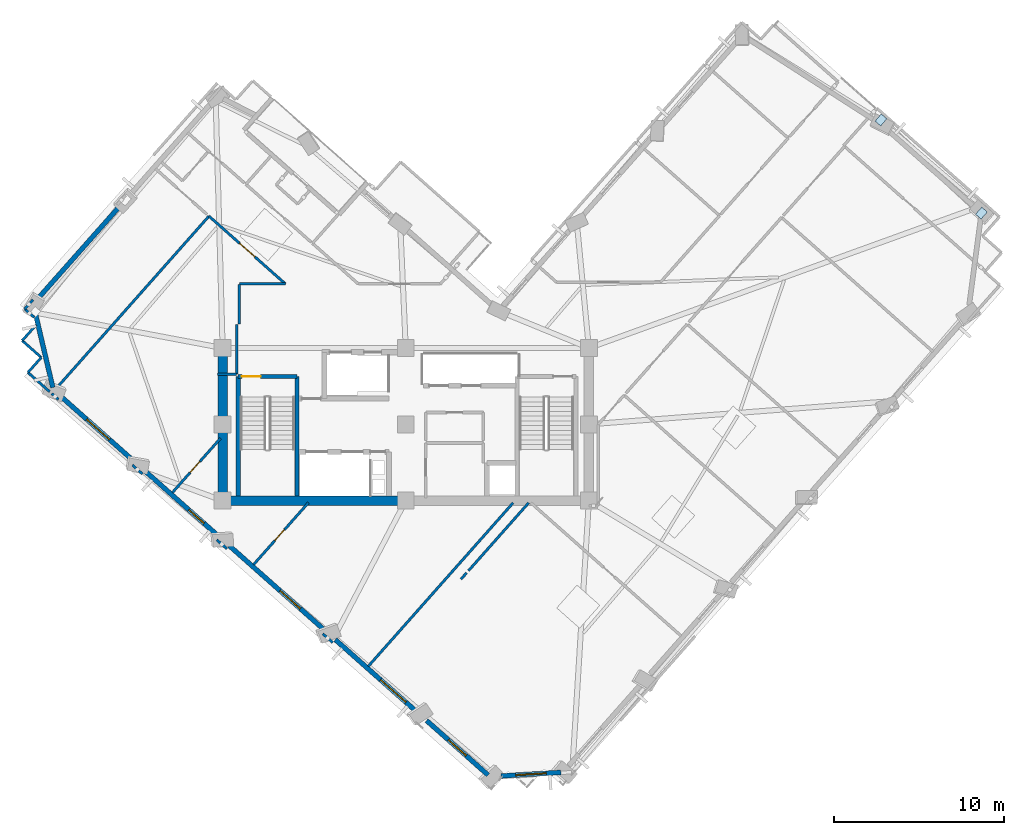
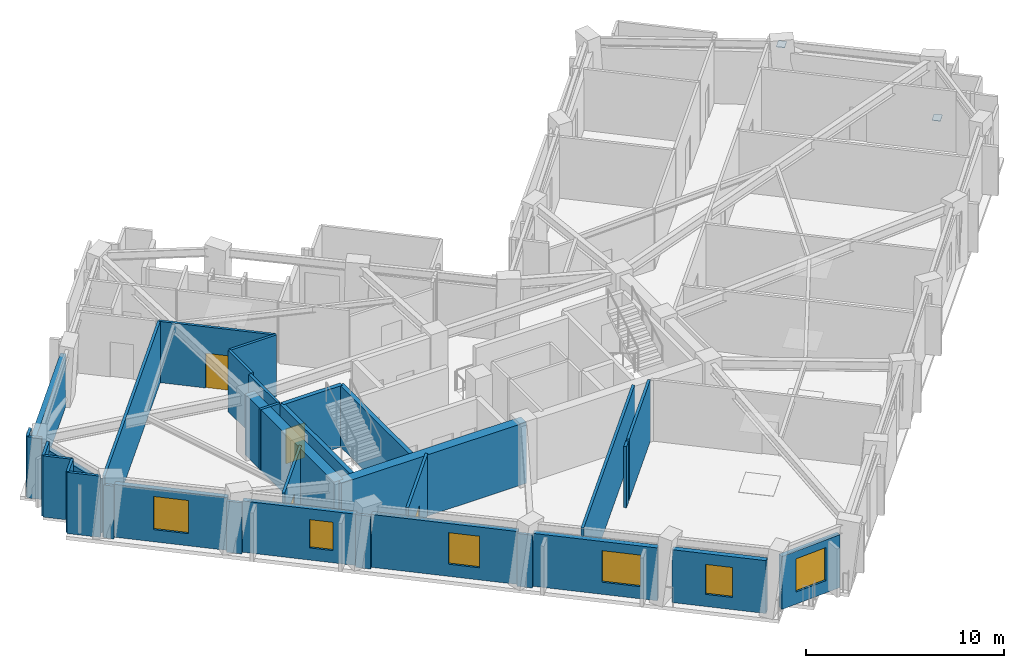
# One storey, part 5 of 13: 34 walls, 6 windows, 4 doors, 2 plates, 10 openings.
"""IFC4 building model written with IfcOpenShell, lengths in metres."""

from ifc_helpers import new_model, si_unit, direction, frame, frame_2d, origin, origin_2d, place, context, subcontext, project, spatial, rectangle, extrude, material, layer, layer_set, type_object, element, fill, save


model = new_model("IFC4")

# Units and contexts
model_context = context("Model", 3, precision=1e-05, world=origin(), true_north=direction((0.0, 1.0)))
body_context = subcontext(model_context, "Body", "Model", "MODEL_VIEW")
ifc_project = project(units=[si_unit("LENGTHUNIT", "METRE"), si_unit("AREAUNIT", "SQUARE_METRE"), si_unit("VOLUMEUNIT", "CUBIC_METRE"), si_unit("PLANEANGLEUNIT", "RADIAN"), si_unit("MASSUNIT", "GRAM", prefix="KILO")], contexts=[model_context])

# Site, building, storey
site_placement = place(None, origin())
site = spatial("IfcSite", under=ifc_project, at=site_placement, CompositionType="ELEMENT")
building_placement = place(site_placement, origin())
building = spatial("IfcBuilding", under=site, at=building_placement, Name="Gaonmaruhae Medical Tower", CompositionType="ELEMENT")
storey_placement = place(building_placement, frame((0.0, 0.0, 231.199951171875)))
storey = spatial("IfcBuildingStorey", under=building, at=storey_placement, Name="L55", CompositionType="ELEMENT", Elevation=231.199951171875)

# Plates
ifc_material_1 = material(Name="Steel HSA650 (650 MPa)", Category="steel")
ifc_layer_1 = layer(ifc_material_1, 0.028076171875)
ifc_layer_set_1 = layer_set([ifc_layer_1], Name="Steel HSA650 (650 MPa)")
plate_type = type_object("IfcPlateType", Name="GP-02 Tube Brace End Cap Gusset Plate", PredefinedType="USERDEFINED", material=ifc_layer_set_1)
for number, where, z_axis, x_axis, name in (
    (1, (58.75048828125, 24.7578125, 0.23583984375), (0.0, 0.0, 1.0), (0.66327338299, 0.748377190605, 0.0), "L55 Gusset Cap Plate PLT-L55-PBR-E01A"),
    (2, (52.825439453125, 30.250732421875, 3.51611328125), (0.0, 0.0, 1.0), (0.650774217266, 0.759271307335, 0.0), "L55 Gusset Cap Plate PLT-L55-PBR-E01B"),
):
    element("IfcPlate", number, at=place(storey_placement, frame(where, z_axis=z_axis, x_axis=x_axis)), inside=storey, type_object=plate_type, Name=name, ObjectType="GUSSET_PLATE", PredefinedType="USERDEFINED", context=body_context, shape_type="SweptSolid", body=[
        extrude(rectangle(XDim=0.56005859375, YDim=0.43994140625, at=origin_2d()), origin(), (0.0, 0.0, 1.0), 0.028076171875),
    ])

# Walls
ifc_material_2 = material(Name="Concrete C50/60", Category="concrete")
ifc_layer_2 = layer(ifc_material_2, 0.550048828125)
ifc_layer_set_2 = layer_set([ifc_layer_2], Name="Concrete C50/60")
wall_type_1 = type_object("IfcWallType", Name="CW-550 Mid-High Core Shear Wall", PredefinedType="SHEAR", material=ifc_layer_set_2)
wall_1_placement = place(storey_placement, frame((14.0, 7.800048828125, 0.0), z_axis=(0.0, 0.0, 1.0), x_axis=(1.0, 0.0, 0.0)))
element("IfcWall", 3, at=wall_1_placement, inside=storey, type_object=wall_type_1, Name="L55 Core Shear Wall CSW-S1", PredefinedType="SHEAR", context=body_context, shape_type="SweptSolid", body=[
    extrude(rectangle(XDim=10.800048828125, YDim=0.550048828125, at=frame_2d((5.39990234375, 0.0))), origin(), (0.0, 0.0, 1.0), 3.780029296875),
])
wall_2_placement = place(storey_placement, frame((14.0, 16.800048828125, 0.0), z_axis=(0.0, 0.0, 1.0), x_axis=(0.0, -1.0, 0.0)))
element("IfcWall", 4, at=wall_2_placement, inside=storey, type_object=wall_type_1, Name="L55 Core Shear Wall CSW-W1", PredefinedType="SHEAR", context=body_context, shape_type="SweptSolid", body=[
    extrude(rectangle(XDim=9.0, YDim=0.550048828125, at=frame_2d((4.5, 0.0))), origin(), (0.0, 0.0, 1.0), 3.780029296875),
])
ifc_material_3 = material(Name="Precast concrete C45/55", Category="concrete")
ifc_layer_3 = layer(ifc_material_3, 0.280029296875)
ifc_layer_set_3 = layer_set([ifc_layer_3], Name="Precast concrete C45/55")
wall_type_2 = type_object("IfcWallType", Name="EW-280 Upper Precast Masonry-Frame Facade Wall", PredefinedType="SOLIDWALL", material=ifc_layer_set_3)
wall_3_placement = place(storey_placement, frame((2.947509765625, 19.538818359375, 0.0), z_axis=(0.0, 0.0, 1.0), x_axis=(0.663273885077, 0.748376745614, 0.0)))
element("IfcWall", 5, at=wall_3_placement, inside=storey, type_object=wall_type_2, Name="L55 Precast Masonry-Frame Wall N02-N03", PredefinedType="SOLIDWALL", context=body_context, shape_type="SweptSolid", body=[
    extrude(rectangle(XDim=7.484619140625, YDim=0.280029296875, at=frame_2d((3.7421875, 0.0))), origin(), (0.0, 0.0, 1.0), 3.26513671875),
])
wall_4_placement = place(storey_placement, frame((3.986083984375, 14.47314453125, 0.0), z_axis=(0.0, 0.0, 1.0), x_axis=(-0.228854104953, 0.973460732976, 0.0)))
element("IfcWall", 6, at=wall_4_placement, inside=storey, type_object=wall_type_2, Name="L55 Precast Masonry-Frame Wall N03-W01", PredefinedType="SOLIDWALL", context=body_context, shape_type="SweptSolid", body=[
    extrude(rectangle(XDim=4.407958984375, YDim=0.280029296875, at=frame_2d((2.2041015625, 0.0))), origin(), (0.0, 0.0, 1.0), 3.26513671875),
])

# Wall, opening, window
wall_5_placement = place(storey_placement, frame((8.8349609375, 10.069580078125, 0.0), z_axis=(0.0, 0.0, 1.0), x_axis=(-0.748388035146, 0.663261146797, 0.0)))
wall_5 = element("IfcWall", 7, at=wall_5_placement, inside=storey, type_object=wall_type_2, Name="L55 Precast Masonry-Frame Wall W01-W02", PredefinedType="SOLIDWALL", context=body_context, shape_type="SweptSolid", body=[
    extrude(rectangle(XDim=5.83056640625, YDim=0.280029296875, at=frame_2d((2.915283203125, 0.0))), origin(), (0.0, 0.0, 1.0), 3.26513671875),
])
opening_1_placement = place(wall_5_placement, frame((2.011474609375, 0.0, 0.75)))
opening_1 = element("IfcOpeningElement", 8, at=opening_1_placement, cuts=wall_5, Name="Opening WN-04", PredefinedType="OPENING", context=body_context, shape_type="SweptSolid", body=[
    extrude(rectangle(XDim=1.800048828125, YDim=2.050048828125, at=frame_2d((0.89990234375, 1.02490234375))), frame((0.0, 0.14990234375, 0.0), z_axis=(0.0, -1.0, 0.0), x_axis=(1.0, 0.0, 0.0)), (0.0, 0.0, 1.0), 0.300048828125),
])
ifc_material_4 = material(Name="Anodised aluminium and Low-E double glazing", Category="aluminium")
window_type_1 = type_object("IfcWindowType", Name="WN-04 Clinic & Consult Punched Window 1800x2050", PartitioningType="SINGLE_PANEL", PredefinedType="WINDOW", material=ifc_material_4)
window_1_placement = place(opening_1_placement, origin())
window_1 = element("IfcWindow", 9, at=window_1_placement, inside=storey, type_object=window_type_1, Name="L55 Modular Facade Window W01", OverallHeight=2.050048828125, OverallWidth=1.800048828125, PartitioningType="SINGLE_PANEL", PredefinedType="WINDOW", context=body_context, shape_type="SweptSolid", body=[
    extrude(rectangle(XDim=1.800048828125, YDim=2.050048828125, at=frame_2d((0.89990234375, 1.02490234375))), frame((0.0, 0.030029296875, 0.0), z_axis=(0.0, -1.0, 0.0), x_axis=(1.0, 0.0, 0.0)), (0.0, 0.0, 1.0), 0.06005859375),
])
fill(opening_1, window_1)

wall_6_placement = place(storey_placement, frame((13.806884765625, 5.662841796875, 0.0), z_axis=(0.0, 0.0, 1.0), x_axis=(-0.74835774787, 0.663295319751, 0.0)))
wall_6 = element("IfcWall", 10, at=wall_6_placement, inside=storey, type_object=wall_type_2, Name="L55 Precast Masonry-Frame Wall W02-W03", PredefinedType="SOLIDWALL", context=body_context, shape_type="SweptSolid", body=[
    extrude(rectangle(XDim=5.86083984375, YDim=0.280029296875, at=frame_2d((2.930419921875, 0.0))), origin(), (0.0, 0.0, 1.0), 3.1650390625),
])
opening_2_placement = place(wall_6_placement, frame((1.19775390625, 0.0, 0.75)))
opening_2 = element("IfcOpeningElement", 11, at=opening_2_placement, cuts=wall_6, Name="Opening WN-05", PredefinedType="OPENING", context=body_context, shape_type="SweptSolid", body=[
    extrude(rectangle(XDim=1.199951171875, YDim=1.75, at=frame_2d((0.60009765625, 0.875))), frame((0.0, 0.14990234375, 0.0), z_axis=(0.0, -1.0, 0.0), x_axis=(1.0, 0.0, 0.0)), (0.0, 0.0, 1.0), 0.300048828125),
])
window_type_2 = type_object("IfcWindowType", Name="WN-05 Support & Staff Punched Window 1200x1750", PartitioningType="SINGLE_PANEL", PredefinedType="WINDOW", material=ifc_material_4)
window_2_placement = place(opening_2_placement, origin())
window_2 = element("IfcWindow", 12, at=window_2_placement, inside=storey, type_object=window_type_2, Name="L55 Modular Facade Window W02", OverallHeight=1.75, OverallWidth=1.199951171875, PartitioningType="SINGLE_PANEL", PredefinedType="WINDOW", context=body_context, shape_type="SweptSolid", body=[
    extrude(rectangle(XDim=1.199951171875, YDim=1.75, at=frame_2d((0.60009765625, 0.875))), frame((0.0, 0.030029296875, 0.0), z_axis=(0.0, -1.0, 0.0), x_axis=(1.0, 0.0, 0.0)), (0.0, 0.0, 1.0), 0.06005859375),
])
fill(opening_2, window_2)

wall_7_placement = place(storey_placement, frame((20.05810546875, 0.12255859375, 0.0), z_axis=(0.0, 0.0, 1.0), x_axis=(-0.748365523049, 0.663286547362, 0.0)))
wall_7 = element("IfcWall", 13, at=wall_7_placement, inside=storey, type_object=wall_type_2, Name="L55 Precast Masonry-Frame Wall W03-W04", PredefinedType="SOLIDWALL", context=body_context, shape_type="SweptSolid", body=[
    extrude(rectangle(XDim=7.558349609375, YDim=0.280029296875, at=frame_2d((3.779296875, 0.0))), origin(), (0.0, 0.0, 1.0), 3.26513671875),
])
opening_3_placement = place(wall_7_placement, frame((1.975341796875, 0.0, 0.75)))
opening_3 = element("IfcOpeningElement", 14, at=opening_3_placement, cuts=wall_7, Name="Opening WN-01", PredefinedType="OPENING", context=body_context, shape_type="SweptSolid", body=[
    extrude(rectangle(XDim=1.60009765625, YDim=1.949951171875, at=frame_2d((0.800048828125, 0.97509765625))), frame((0.0, 0.14990234375, 0.0), z_axis=(0.0, -1.0, 0.0), x_axis=(1.0, 0.0, 0.0)), (0.0, 0.0, 1.0), 0.300048828125),
])
window_type_3 = type_object("IfcWindowType", Name="WN-01 Ward Punched Acoustic Window 1600x1950", PartitioningType="SINGLE_PANEL", PredefinedType="WINDOW", material=ifc_material_4)
window_3_placement = place(opening_3_placement, origin())
window_3 = element("IfcWindow", 15, at=window_3_placement, inside=storey, type_object=window_type_3, Name="L55 Modular Facade Window W03", OverallHeight=1.949951171875, OverallWidth=1.60009765625, PartitioningType="SINGLE_PANEL", PredefinedType="WINDOW", context=body_context, shape_type="SweptSolid", body=[
    extrude(rectangle(XDim=1.60009765625, YDim=1.949951171875, at=frame_2d((0.800048828125, 0.97509765625))), frame((0.0, 0.030029296875, 0.0), z_axis=(0.0, -1.0, 0.0), x_axis=(1.0, 0.0, 0.0)), (0.0, 0.0, 1.0), 0.06005859375),
])
fill(opening_3, window_3)

wall_8_placement = place(storey_placement, frame((25.455810546875, -4.661376953125, 0.0), z_axis=(0.0, 0.0, 1.0), x_axis=(-0.748364514409, 0.663287685378, 0.0)))
wall_8 = element("IfcWall", 16, at=wall_8_placement, inside=storey, type_object=wall_type_2, Name="L55 Precast Masonry-Frame Wall W04-W05", PredefinedType="SOLIDWALL", context=body_context, shape_type="SweptSolid", body=[
    extrude(rectangle(XDim=6.425048828125, YDim=0.280029296875, at=frame_2d((3.21240234375, 0.0))), origin(), (0.0, 0.0, 1.0), 3.26513671875),
])
opening_4_placement = place(wall_8_placement, frame((0.864990234375, 0.0, 0.75)))
opening_4 = element("IfcOpeningElement", 17, at=opening_4_placement, cuts=wall_8, Name="Opening WN-02", PredefinedType="OPENING", context=body_context, shape_type="SweptSolid", body=[
    extrude(rectangle(XDim=2.0, YDim=1.949951171875, at=frame_2d((1.0, 0.97509765625))), frame((0.0, 0.14990234375, 0.0), z_axis=(0.0, -1.0, 0.0), x_axis=(1.0, 0.0, 0.0)), (0.0, 0.0, 1.0), 0.300048828125),
])
window_type_4 = type_object("IfcWindowType", Name="WN-02 Double-Bed Ward Punched Window 2000x1950", PartitioningType="SINGLE_PANEL", PredefinedType="WINDOW", material=ifc_material_4)
window_4_placement = place(opening_4_placement, origin())
window_4 = element("IfcWindow", 18, at=window_4_placement, inside=storey, type_object=window_type_4, Name="L55 Modular Facade Window W04", OverallHeight=1.949951171875, OverallWidth=2.0, PartitioningType="SINGLE_PANEL", PredefinedType="WINDOW", context=body_context, shape_type="SweptSolid", body=[
    extrude(rectangle(XDim=2.0, YDim=1.949951171875, at=frame_2d((1.0, 0.97509765625))), frame((0.0, 0.030029296875, 0.0), z_axis=(0.0, -1.0, 0.0), x_axis=(1.0, 0.0, 0.0)), (0.0, 0.0, 1.0), 0.06005859375),
])
fill(opening_4, window_4)

wall_9_placement = place(storey_placement, frame((29.6591796875, -8.38671875, 0.0), z_axis=(0.0, 0.0, 1.0), x_axis=(-0.748365658788, 0.663286394213, 0.0)))
wall_9 = element("IfcWall", 19, at=wall_9_placement, inside=storey, type_object=wall_type_2, Name="L55 Precast Masonry-Frame Wall W05-W06", PredefinedType="SOLIDWALL", context=body_context, shape_type="SweptSolid", body=[
    extrude(rectangle(XDim=4.855224609375, YDim=0.280029296875, at=frame_2d((2.427734375, 0.0))), origin(), (0.0, 0.0, 1.0), 3.26513671875),
])
opening_5_placement = place(wall_9_placement, frame((1.732666015625, 0.0, 0.75)))
opening_5 = element("IfcOpeningElement", 20, at=opening_5_placement, cuts=wall_9, Name="Opening WN-03", PredefinedType="OPENING", context=body_context, shape_type="SweptSolid", body=[
    extrude(rectangle(XDim=1.39990234375, YDim=1.85009765625, at=frame_2d((0.699951171875, 0.925048828125))), frame((0.0, 0.14990234375, 0.0), z_axis=(0.0, -1.0, 0.0), x_axis=(1.0, 0.0, 0.0)), (0.0, 0.0, 1.0), 0.300048828125),
])
window_type_5 = type_object("IfcWindowType", Name="WN-03 Isolation Ward Punched Window 1400x1850", PartitioningType="SINGLE_PANEL", PredefinedType="WINDOW", material=ifc_material_4)
window_5_placement = place(opening_5_placement, origin())
window_5 = element("IfcWindow", 21, at=window_5_placement, inside=storey, type_object=window_type_5, Name="L55 Modular Facade Window W05", OverallHeight=1.85009765625, OverallWidth=1.39990234375, PartitioningType="SINGLE_PANEL", PredefinedType="WINDOW", context=body_context, shape_type="SweptSolid", body=[
    extrude(rectangle(XDim=1.39990234375, YDim=1.85009765625, at=frame_2d((0.699951171875, 0.925048828125))), frame((0.0, 0.030029296875, 0.0), z_axis=(0.0, -1.0, 0.0), x_axis=(1.0, 0.0, 0.0)), (0.0, 0.0, 1.0), 0.06005859375),
])
fill(opening_5, window_5)

wall_10_placement = place(storey_placement, frame((33.94384765625, -8.2255859375, 0.0), z_axis=(0.0, 0.0, 1.0), x_axis=(-0.99818697503, -0.060189391756, 0.0)))
wall_10 = element("IfcWall", 22, at=wall_10_placement, inside=storey, type_object=wall_type_2, Name="L55 Precast Masonry-Frame Wall W06-S01", PredefinedType="SOLIDWALL", context=body_context, shape_type="SweptSolid", body=[
    extrude(rectangle(XDim=3.520751953125, YDim=0.280029296875, at=frame_2d((1.76025390625, 0.0))), origin(), (0.0, 0.0, 1.0), 3.26513671875),
])
opening_6_placement = place(wall_10_placement, frame((0.859619140625, 0.0, 0.75)))
opening_6 = element("IfcOpeningElement", 23, at=opening_6_placement, cuts=wall_10, Name="Opening WN-04", PredefinedType="OPENING", context=body_context, shape_type="SweptSolid", body=[
    extrude(rectangle(XDim=1.800048828125, YDim=2.050048828125, at=frame_2d((0.89990234375, 1.02490234375))), frame((0.0, 0.14990234375, 0.0), z_axis=(0.0, -1.0, 0.0), x_axis=(1.0, 0.0, 0.0)), (0.0, 0.0, 1.0), 0.300048828125),
])
window_6_placement = place(opening_6_placement, origin())
window_6 = element("IfcWindow", 24, at=window_6_placement, inside=storey, type_object=window_type_1, Name="L55 Modular Facade Window W06", OverallHeight=2.050048828125, OverallWidth=1.800048828125, PartitioningType="SINGLE_PANEL", PredefinedType="WINDOW", context=body_context, shape_type="SweptSolid", body=[
    extrude(rectangle(XDim=1.800048828125, YDim=2.050048828125, at=frame_2d((0.89990234375, 1.02490234375))), frame((0.0, 0.030029296875, 0.0), z_axis=(0.0, -1.0, 0.0), x_axis=(1.0, 0.0, 0.0)), (0.0, 0.0, 1.0), 0.06005859375),
])
fill(opening_6, window_6)

# Walls
ifc_material_5 = material(Name="Gypsum board partition", Category="gypsum")
ifc_layer_4 = layer(ifc_material_5, 0.14990234375)
ifc_layer_set_4 = layer_set([ifc_layer_4], Name="Gypsum board partition")
wall_type_3 = type_object("IfcWallType", Name="PW-150 Rated Clinical Corridor Partition", PredefinedType="PARTITIONING", material=ifc_layer_set_4)
wall_11_placement = place(storey_placement, frame((28.4990234375, 3.666015625, 0.0), z_axis=(0.0, 0.0, 1.0), x_axis=(0.663257046458, 0.748391669064, 0.0)))
element("IfcWall", 25, at=wall_11_placement, inside=storey, type_object=wall_type_3, Name="L55 Interior Partition L55-SUP02-9", PredefinedType="PARTITIONING", context=body_context, shape_type="SweptSolid", body=[
    extrude(rectangle(XDim=5.35693359375, YDim=0.14990234375, at=frame_2d((2.678466796875, 0.0))), origin(), (0.0, 0.0, 1.0), 3.780029296875),
])
wall_12_placement = place(storey_placement, frame((20.4951171875, -0.572021484375, 0.0), z_axis=(0.0, 0.0, 1.0), x_axis=(-0.749014307201, 0.662553822423, 0.0)))
element("IfcWall", 26, at=wall_12_placement, inside=storey, type_object=wall_type_3, Name="L55 Interior Partition L55-WOF07-27", PredefinedType="PARTITIONING", context=body_context, shape_type="SweptSolid", body=[
    extrude(rectangle(XDim=0.787841796875, YDim=0.14990234375, at=frame_2d((0.39404296875, 0.0))), origin(), (0.0, 0.0, 1.0), 3.26513671875),
])

# Wall, opening, door
wall_13_placement = place(storey_placement, frame((15.824951171875, 4.028076171875, 0.0), z_axis=(0.0, 0.0, 1.0), x_axis=(0.663237367069, 0.748409109327, 0.0)))
wall_13 = element("IfcWall", 27, at=wall_13_placement, inside=storey, type_object=wall_type_3, Name="L55 Interior Partition L55-WOF07-28", PredefinedType="PARTITIONING", context=body_context, shape_type="SweptSolid", body=[
    extrude(rectangle(XDim=4.873046875, YDim=0.14990234375, at=frame_2d((2.4365234375, 0.0))), origin(), (0.0, 0.0, 1.0), 3.780029296875),
])
opening_7_placement = place(wall_13_placement, frame((1.8896484375, 0.0, 0.0)))
opening_7 = element("IfcOpeningElement", 28, at=opening_7_placement, cuts=wall_13, Name="Opening AD-01", PredefinedType="OPENING", context=body_context, shape_type="SweptSolid", body=[
    extrude(rectangle(XDim=0.860107421875, YDim=2.06005859375, at=frame_2d((0.43017578125, 1.030029296875))), frame((0.0, 0.0849609375, 0.0), z_axis=(0.0, -1.0, 0.0), x_axis=(1.0, 0.0, 0.0)), (0.0, 0.0, 1.0), 0.169921875),
])
ifc_material_6 = material(Name="Powder-coated steel access door", Category="steel")
door_type_1 = type_object("IfcDoorType", Name="AD-01 Riser & Closet Access Fire Door 860x2060", OperationType="NOTDEFINED", PredefinedType="DOOR", material=ifc_material_6)
door_1_placement = place(opening_7_placement, origin())
door_1 = element("IfcDoor", 29, at=door_1_placement, inside=storey, type_object=door_type_1, Name="L55 Ward Physician Reporting Office Sliding Door", OperationType="SLIDING_TO_LEFT", OverallHeight=2.06005859375, OverallWidth=0.860107421875, PredefinedType="DOOR", context=body_context, shape_type="SweptSolid", body=[
    extrude(rectangle(XDim=0.860107421875, YDim=2.06005859375, at=frame_2d((0.43017578125, 1.030029296875))), frame((0.0, 0.02490234375, 0.0), z_axis=(0.0, -1.0, 0.0), x_axis=(1.0, 0.0, 0.0)), (0.0, 0.0, 1.0), 0.050048828125),
])
fill(opening_7, door_1)

# Walls
wall_14_placement = place(storey_placement, frame((31.135986328125, 7.675048828125, 0.0), z_axis=(0.0, 0.0, 1.0), x_axis=(-0.663248185995, -0.748399521495, 0.0)))
element("IfcWall", 30, at=wall_14_placement, inside=storey, type_object=wall_type_3, Name="L55 Interior Partition L55-WOF07-29", PredefinedType="PARTITIONING", context=body_context, shape_type="SweptSolid", body=[
    extrude(rectangle(XDim=12.885009765625, YDim=0.14990234375, at=frame_2d((6.4423828125, 0.0))), origin(), (0.0, 0.0, 1.0), 3.780029296875),
])
wall_15_placement = place(storey_placement, frame((14.2490234375, 4.964111328125, 0.0), z_axis=(0.0, 0.0, 1.0), x_axis=(-0.748662236722, 0.662951623655, 0.0)))
element("IfcWall", 31, at=wall_15_placement, inside=storey, type_object=wall_type_3, Name="L55 Interior Partition L55-WOF08-30", PredefinedType="PARTITIONING", context=body_context, shape_type="SweptSolid", body=[
    extrude(rectangle(XDim=0.794677734375, YDim=0.14990234375, at=frame_2d((0.3974609375, 0.0))), origin(), (0.0, 0.0, 1.0), 3.26513671875),
])

# Wall, opening, door
wall_16_placement = place(storey_placement, frame((11.034912109375, 8.27294921875, 0.0), z_axis=(0.0, 0.0, 1.0), x_axis=(0.663319126157, 0.748336646754, 0.0)))
wall_16 = element("IfcWall", 32, at=wall_16_placement, inside=storey, type_object=wall_type_3, Name="L55 Interior Partition L55-WOF08-31", PredefinedType="PARTITIONING", context=body_context, shape_type="SweptSolid", body=[
    extrude(rectangle(XDim=4.28173828125, YDim=0.14990234375, at=frame_2d((2.140869140625, 0.0))), origin(), (0.0, 0.0, 1.0), 3.780029296875),
])
opening_8_placement = place(wall_16_placement, frame((1.5791015625, 0.0, 0.0)))
opening_8 = element("IfcOpeningElement", 33, at=opening_8_placement, cuts=wall_16, Name="Opening AD-01", PredefinedType="OPENING", context=body_context, shape_type="SweptSolid", body=[
    extrude(rectangle(XDim=0.860107421875, YDim=2.06005859375, at=frame_2d((0.43017578125, 1.030029296875))), frame((0.0, 0.0849609375, 0.0), z_axis=(0.0, -1.0, 0.0), x_axis=(1.0, 0.0, 0.0)), (0.0, 0.0, 1.0), 0.169921875),
])
door_2_placement = place(opening_8_placement, origin())
door_2 = element("IfcDoor", 34, at=door_2_placement, inside=storey, type_object=door_type_1, Name="L55 Ward Physician Reporting Office Sliding Door", OperationType="SLIDING_TO_LEFT", OverallHeight=2.06005859375, OverallWidth=0.860107421875, PredefinedType="DOOR", context=body_context, shape_type="SweptSolid", body=[
    extrude(rectangle(XDim=0.860107421875, YDim=2.06005859375, at=frame_2d((0.43017578125, 1.030029296875))), frame((0.0, 0.02490234375, 0.0), z_axis=(0.0, -1.0, 0.0), x_axis=(1.0, 0.0, 0.0)), (0.0, 0.0, 1.0), 0.050048828125),
])
fill(opening_8, door_2)

# Walls
wall_17_placement = place(storey_placement, frame((14.969970703125, 20.550048828125, 0.0), z_axis=(0.0, 0.0, 1.0), x_axis=(0.0, -1.0, 0.0)))
element("IfcWall", 35, at=wall_17_placement, inside=storey, type_object=wall_type_3, Name="L55 Interior Partition L55-WOF09-32", PredefinedType="PARTITIONING", context=body_context, shape_type="SweptSolid", body=[
    extrude(rectangle(XDim=2.320068359375, YDim=0.14990234375, at=frame_2d((1.16015625, 0.0))), origin(), (0.0, 0.0, 1.0), 3.780029296875),
])
wall_18_placement = place(storey_placement, frame((14.820068359375, 18.199951171875, 0.0), z_axis=(0.0, 0.0, 1.0), x_axis=(0.0, -1.0, 0.0)))
element("IfcWall", 36, at=wall_18_placement, inside=storey, type_object=wall_type_3, Name="L55 Interior Partition L55-WOF09-33", PredefinedType="PARTITIONING", context=body_context, shape_type="SweptSolid", body=[
    extrude(rectangle(XDim=2.93994140625, YDim=0.14990234375, at=frame_2d((1.469970703125, 0.0))), origin(), (0.0, 0.0, 1.0), 3.780029296875),
])
wall_19_placement = place(storey_placement, frame((14.820068359375, 15.260009765625, 0.0), z_axis=(0.0, 0.0, 1.0), x_axis=(-1.0, 0.0, 0.0)))
element("IfcWall", 37, at=wall_19_placement, inside=storey, type_object=wall_type_3, Name="L55 Interior Partition L55-WOF09-34", PredefinedType="PARTITIONING", context=body_context, shape_type="SweptSolid", body=[
    extrude(rectangle(XDim=1.1201171875, YDim=0.14990234375, at=frame_2d((0.56005859375, 0.0))), origin(), (0.0, 0.0, 1.0), 3.780029296875),
])
wall_20_placement = place(storey_placement, frame((9.26806640625, 9.3779296875, 0.0), z_axis=(0.0, 0.0, 1.0), x_axis=(-0.74868103429, 0.662930395211, 0.0)))
element("IfcWall", 38, at=wall_20_placement, inside=storey, type_object=wall_type_3, Name="L55 Interior Partition L55-WOF09-35", PredefinedType="PARTITIONING", context=body_context, shape_type="SweptSolid", body=[
    extrude(rectangle(XDim=0.782958984375, YDim=0.14990234375, at=frame_2d((0.3916015625, 0.0))), origin(), (0.0, 0.0, 1.0), 3.1650390625),
])
wall_21_placement = place(storey_placement, frame((4.319091796875, 13.763916015625, 0.0), z_axis=(0.0, 0.0, 1.0), x_axis=(-0.748269298585, 0.663395098561, 0.0)))
element("IfcWall", 39, at=wall_21_placement, inside=storey, type_object=wall_type_3, Name="L55 Interior Partition L55-WOF09-36", PredefinedType="PARTITIONING", context=body_context, shape_type="SweptSolid", body=[
    extrude(rectangle(XDim=0.5322265625, YDim=0.14990234375, at=frame_2d((0.26611328125, 0.0))), origin(), (0.0, 0.0, 1.0), 3.26513671875),
])
wall_22_placement = place(storey_placement, frame((3.9208984375, 14.116943359375, 0.0), z_axis=(0.0, 0.0, 1.0), x_axis=(0.663304180291, 0.748349894374, 0.0)))
element("IfcWall", 40, at=wall_22_placement, inside=storey, type_object=wall_type_3, Name="L55 Interior Partition L55-WOF09-37", PredefinedType="PARTITIONING", context=body_context, shape_type="SweptSolid", body=[
    extrude(rectangle(XDim=13.980224609375, YDim=0.14990234375, at=frame_2d((6.990234375, 0.0))), origin(), (0.0, 0.0, 1.0), 3.780029296875),
])

# Wall, opening, door
wall_23_placement = place(storey_placement, frame((13.194091796875, 24.5791015625, 0.0), z_axis=(0.0, 0.0, 1.0), x_axis=(0.748364755265, -0.663287413627, 0.0)))
wall_23 = element("IfcWall", 41, at=wall_23_placement, inside=storey, type_object=wall_type_3, Name="L55 Interior Partition L55-WOF09-38", PredefinedType="PARTITIONING", context=body_context, shape_type="SweptSolid", body=[
    extrude(rectangle(XDim=6.029052734375, YDim=0.14990234375, at=frame_2d((3.0146484375, 0.0))), origin(), (0.0, 0.0, 1.0), 3.780029296875),
])
opening_9_placement = place(wall_23_placement, frame((2.41455078125, 0.0, 0.0)))
opening_9 = element("IfcOpeningElement", 42, at=opening_9_placement, cuts=wall_23, Name="Opening CD-02", PredefinedType="OPENING", context=body_context, shape_type="SweptSolid", body=[
    extrude(rectangle(XDim=1.199951171875, YDim=2.14990234375, at=frame_2d((0.60009765625, 1.074951171875))), frame((0.0, 0.0849609375, 0.0), z_axis=(0.0, -1.0, 0.0), x_axis=(1.0, 0.0, 0.0)), (0.0, 0.0, 1.0), 0.169921875),
])
ifc_material_7 = material(Name="Antimicrobial laminate timber fire door", Category="wood")
door_type_2 = type_object("IfcDoorType", Name="CD-02 Clinical Treatment & Procedure Door 1200x2150", OperationType="NOTDEFINED", PredefinedType="DOOR", material=ifc_material_7)
door_3_placement = place(opening_9_placement, origin())
door_3 = element("IfcDoor", 43, at=door_3_placement, inside=storey, type_object=door_type_2, Name="L55 Ward Physician Reporting Office Door", OperationType="SINGLE_SWING_RIGHT", OverallHeight=2.14990234375, OverallWidth=1.199951171875, PredefinedType="DOOR", context=body_context, shape_type="SweptSolid", body=[
    extrude(rectangle(XDim=1.199951171875, YDim=2.14990234375, at=frame_2d((0.60009765625, 1.074951171875))), frame((0.0, 0.02490234375, 0.0), z_axis=(0.0, -1.0, 0.0), x_axis=(1.0, 0.0, 0.0)), (0.0, 0.0, 1.0), 0.050048828125),
])
fill(opening_9, door_3)

# Walls
wall_24_placement = place(storey_placement, frame((17.7060546875, 20.580078125, 0.0), z_axis=(0.0, 0.0, 1.0), x_axis=(-1.0, 0.0, 0.0)))
element("IfcWall", 44, at=wall_24_placement, inside=storey, type_object=wall_type_3, Name="L55 Interior Partition L55-WOF09-39", PredefinedType="PARTITIONING", context=body_context, shape_type="SweptSolid", body=[
    extrude(rectangle(XDim=2.708984375, YDim=0.14990234375, at=frame_2d((1.3544921875, 0.0))), origin(), (0.0, 0.0, 1.0), 3.780029296875),
])
wall_25_placement = place(storey_placement, frame((2.177978515625, 17.239013671875, 0.0), z_axis=(0.0, 0.0, 1.0), x_axis=(0.663470520183, 0.748202425048, 0.0)))
element("IfcWall", 45, at=wall_25_placement, inside=storey, type_object=wall_type_3, Name="L55 Interior Partition L55-WOF10-40", PredefinedType="PARTITIONING", context=body_context, shape_type="SweptSolid", body=[
    extrude(rectangle(XDim=1.239013671875, YDim=0.14990234375, at=frame_2d((0.61962890625, 0.0))), origin(), (0.0, 0.0, 1.0), 3.780029296875),
])
wall_26_placement = place(storey_placement, frame((2.89599609375, 18.60595703125, 0.0), z_axis=(0.0, 0.0, 1.0), x_axis=(-0.747840076789, 0.663878919343, 0.0)))
element("IfcWall", 46, at=wall_26_placement, inside=storey, type_object=wall_type_3, Name="L55 Interior Partition L55-WOF10-41", PredefinedType="PARTITIONING", context=body_context, shape_type="SweptSolid", body=[
    extrude(rectangle(XDim=0.750244140625, YDim=0.14990234375, at=frame_2d((0.375, 0.0))), origin(), (0.0, 0.0, 1.0), 3.780029296875),
])
wall_27_placement = place(storey_placement, frame((2.3349609375, 19.10400390625, 0.0), z_axis=(0.0, 0.0, 1.0), x_axis=(0.662768178269, 0.748824640269, 0.0)))
element("IfcWall", 47, at=wall_27_placement, inside=storey, type_object=wall_type_3, Name="L55 Interior Partition L55-WOF10-42", PredefinedType="PARTITIONING", context=body_context, shape_type="SweptSolid", body=[
    extrude(rectangle(XDim=0.73193359375, YDim=0.14990234375, at=frame_2d((0.365966796875, 0.0))), origin(), (0.0, 0.0, 1.0), 3.780029296875),
])
wall_28_placement = place(storey_placement, frame((3.802001953125, 14.222900390625, 0.0), z_axis=(0.0, 0.0, 1.0), x_axis=(-0.748303596159, 0.66335641097, 0.0)))
element("IfcWall", 48, at=wall_28_placement, inside=storey, type_object=wall_type_3, Name="L55 Interior Partition L55-WOF10-45", PredefinedType="PARTITIONING", context=body_context, shape_type="SweptSolid", body=[
    extrude(rectangle(XDim=1.7158203125, YDim=0.14990234375, at=frame_2d((0.85791015625, 0.0))), origin(), (0.0, 0.0, 1.0), 3.780029296875),
])
wall_29_placement = place(storey_placement, frame((2.51806640625, 15.361083984375, 0.0), z_axis=(0.0, 0.0, 1.0), x_axis=(0.663528689518, 0.748150839194, 0.0)))
element("IfcWall", 49, at=wall_29_placement, inside=storey, type_object=wall_type_3, Name="L55 Interior Partition L55-WOF10-46", PredefinedType="PARTITIONING", context=body_context, shape_type="SweptSolid", body=[
    extrude(rectangle(XDim=1.179931640625, YDim=0.14990234375, at=frame_2d((0.58984375, 0.0))), origin(), (0.0, 0.0, 1.0), 3.780029296875),
])
wall_30_placement = place(storey_placement, frame((3.301025390625, 16.243896484375, 0.0), z_axis=(0.0, 0.0, 1.0), x_axis=(-0.748449721944, 0.663191536227, 0.0)))
element("IfcWall", 50, at=wall_30_placement, inside=storey, type_object=wall_type_3, Name="L55 Interior Partition L55-WOF10-47", PredefinedType="PARTITIONING", context=body_context, shape_type="SweptSolid", body=[
    extrude(rectangle(XDim=1.50048828125, YDim=0.14990234375, at=frame_2d((0.750244140625, 0.0))), origin(), (0.0, 0.0, 1.0), 3.780029296875),
])
wall_31_placement = place(storey_placement, frame((28.39208984375, 3.5458984375, 0.0), z_axis=(0.0, 0.0, 1.0), x_axis=(-0.662966265839, -0.748649270593, 0.0)))
element("IfcWall", 51, at=wall_31_placement, inside=storey, type_object=wall_type_3, Name="L55 Interior Partition L55-RM01-83", PredefinedType="PARTITIONING", context=body_context, shape_type="SweptSolid", body=[
    extrude(rectangle(XDim=0.510009765625, YDim=0.14990234375, at=frame_2d((0.2548828125, 0.0))), origin(), (0.0, 0.0, 1.0), 3.780029296875),
])

# Wall, opening, door
ifc_layer_5 = layer(ifc_material_2, 0.239990234375)
ifc_layer_set_5 = layer_set([ifc_layer_5], Name="Concrete C50/60")
wall_type_4 = type_object("IfcWallType", Name="SW-240 Dogleg Stair Tight Shaft Wall", PredefinedType="SOLIDWALL", material=ifc_layer_set_5)
wall_32_placement = place(storey_placement, frame((14.919921875, 15.1201171875, 0.0), z_axis=(0.0, 0.0, 1.0), x_axis=(1.0, 0.0, 0.0)))
wall_32 = element("IfcWall", 52, at=wall_32_placement, inside=storey, type_object=wall_type_4, Name="L55 ST-01 Stair Shaft Wall SHW-ST-01-N", PredefinedType="SOLIDWALL", context=body_context, shape_type="SweptSolid", body=[
    extrude(rectangle(XDim=3.4599609375, YDim=0.239990234375, at=frame_2d((1.72998046875, 0.0))), origin(), (0.0, 0.0, 1.0), 3.780029296875),
])
opening_10_placement = place(wall_32_placement, frame((0.219970703125, 0.0, 0.0)))
opening_10 = element("IfcOpeningElement", 53, at=opening_10_placement, cuts=wall_32, Name="Opening FD-01", PredefinedType="OPENING", context=body_context, shape_type="SweptSolid", body=[
    extrude(rectangle(XDim=1.10009765625, YDim=2.14990234375, at=frame_2d((0.550048828125, 1.074951171875))), frame((0.0, 0.1298828125, 0.0), z_axis=(0.0, -1.0, 0.0), x_axis=(1.0, 0.0, 0.0)), (0.0, 0.0, 1.0), 0.260009765625),
])
ifc_material_8 = material(Name="Powder-coated steel fire door", Category="steel")
door_type_3 = type_object("IfcDoorType", Name="FD-01 Escape Stair Protected Fire Door 1100x2150", OperationType="NOTDEFINED", PredefinedType="DOOR", material=ifc_material_8)
door_4_placement = place(opening_10_placement, origin())
door_4 = element("IfcDoor", 54, at=door_4_placement, inside=storey, type_object=door_type_3, Name="L55 ST-01 Protected Escape Stair Door", OperationType="SINGLE_SWING_LEFT", OverallHeight=2.14990234375, OverallWidth=1.10009765625, PredefinedType="DOOR", context=body_context, shape_type="SweptSolid", body=[
    extrude(rectangle(XDim=1.10009765625, YDim=2.14990234375, at=frame_2d((0.550048828125, 1.074951171875))), frame((0.0, 0.02490234375, 0.0), z_axis=(0.0, -1.0, 0.0), x_axis=(1.0, 0.0, 0.0)), (0.0, 0.0, 1.0), 0.050048828125),
])
fill(opening_10, door_4)

# Walls
for number, where, z_axis, x_axis, name in (
    (55, (18.3798828125, 15.1201171875, 0.0), (0.0, 0.0, 1.0), (0.0, -1.0, 0.0), "L55 ST-01 Stair Shaft Wall SHW-ST-01-E"),
    (56, (14.919921875, 8.074951171875, 0.0), (0.0, 0.0, 1.0), (0.0, 1.0, 0.0), "L55 ST-01 Stair Shaft Wall SHW-ST-01-W"),
):
    element("IfcWall", number, at=place(storey_placement, frame(where, z_axis=z_axis, x_axis=x_axis)), inside=storey, type_object=wall_type_4, Name=name, PredefinedType="SOLIDWALL", context=body_context, shape_type="SweptSolid", body=[
        extrude(rectangle(XDim=7.045166015625, YDim=0.239990234375, at=frame_2d((3.5224609375, 0.0))), origin(), (0.0, 0.0, 1.0), 3.780029296875),
    ])

save(model, "model.ifc")
